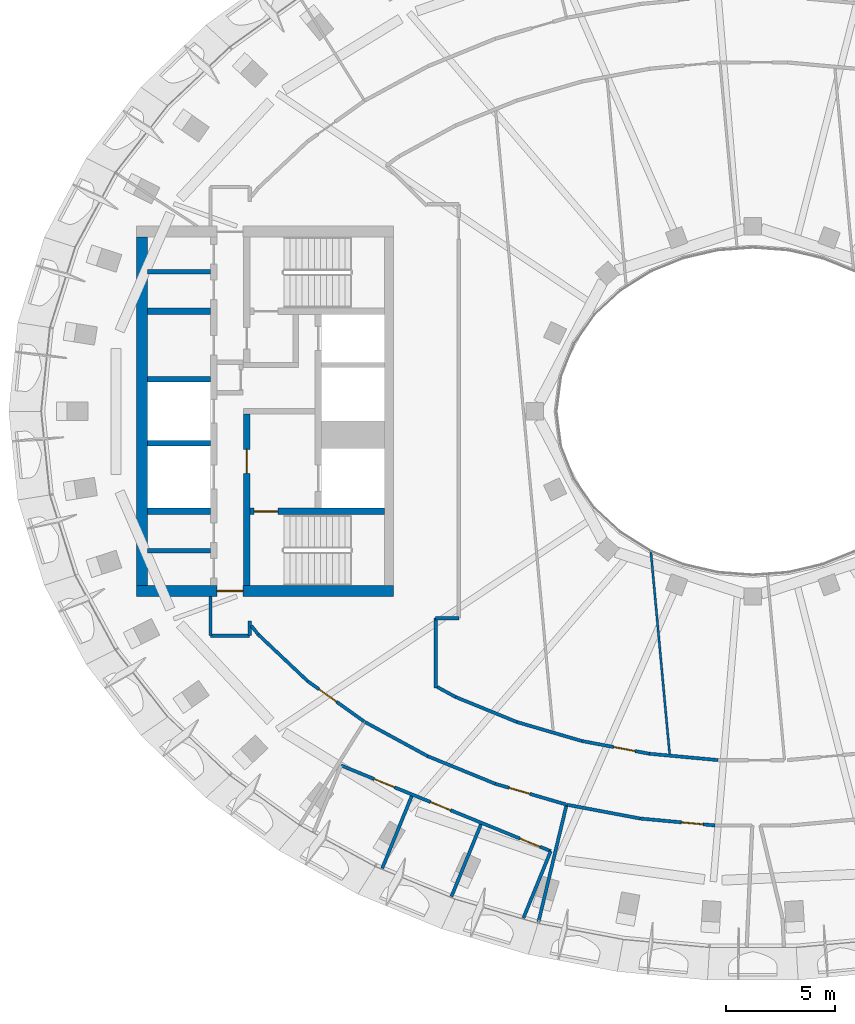
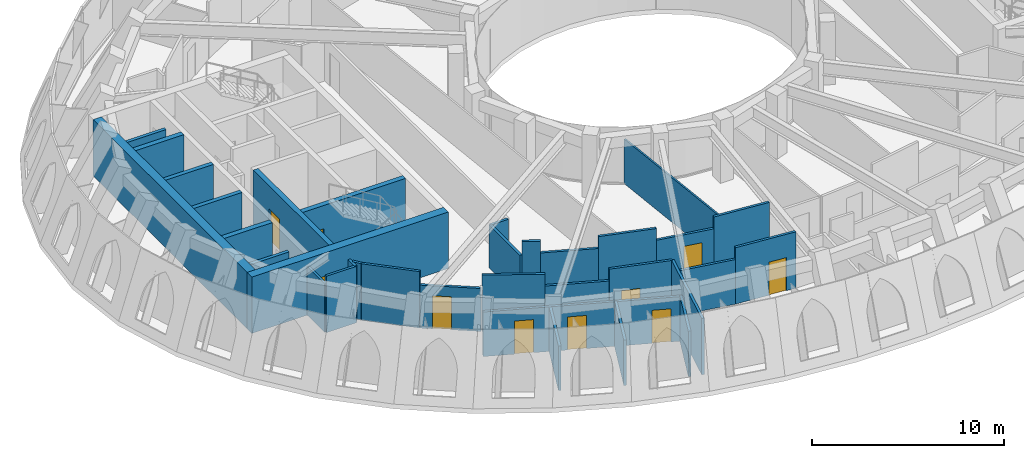
# One storey, part 3 of 14: 34 walls, 10 doors, 10 openings.
"""IFC4 building model written with IfcOpenShell, lengths in metres."""

from ifc_helpers import new_model, si_unit, direction, frame, frame_2d, origin, place, context, subcontext, project, spatial, rectangle, extrude, material, layer, layer_set, type_object, element, fill, save


model = new_model("IFC4")

# Units and contexts
model_context = context("Model", 3, precision=1e-05, world=origin(), true_north=direction((0.0, 1.0)))
body_context = subcontext(model_context, "Body", "Model", "MODEL_VIEW")
ifc_project = project(units=[si_unit("LENGTHUNIT", "METRE"), si_unit("AREAUNIT", "SQUARE_METRE"), si_unit("VOLUMEUNIT", "CUBIC_METRE"), si_unit("PLANEANGLEUNIT", "RADIAN"), si_unit("MASSUNIT", "GRAM", prefix="KILO")], contexts=[model_context])

# Site, building, storey
site_placement = place(None, origin())
site = spatial("IfcSite", under=ifc_project, at=site_placement, CompositionType="ELEMENT")
building_placement = place(site_placement, origin())
building = spatial("IfcBuilding", under=site, at=building_placement, Name="Noorbagh Ring Tower", CompositionType="ELEMENT")
storey_placement = place(building_placement, frame((0.0, 0.0, 343.0)))
storey = spatial("IfcBuildingStorey", under=building, at=storey_placement, Name="L75", CompositionType="ELEMENT", Elevation=343.0)

# Walls
ifc_material_1 = material(Name="Gypsum board on steel studs", Category="steel")
ifc_layer_1 = layer(ifc_material_1, 0.199951171875)
ifc_layer_set_1 = layer_set([ifc_layer_1], Name="Gypsum board on steel studs")
wall_type_1 = type_object("IfcWallType", Name="CORE-PARTITION-200", PredefinedType="PARTITIONING", material=ifc_layer_set_1)
for number, where, z_axis, x_axis, name in (
    (1, (-24.89990234375, 6.39990234375, 0.0), (0.0, 0.0, 1.0), (-1.0, 0.0, 0.0), "Core partition W"),
    (2, (-24.89990234375, -6.39990234375, 0.0), (0.0, 0.0, 1.0), (-1.0, 0.0, 0.0), "Core partition W"),
):
    element("IfcWall", number, at=place(storey_placement, frame(where, z_axis=z_axis, x_axis=x_axis)), inside=storey, type_object=wall_type_1, Name=name, PredefinedType="PARTITIONING", context=body_context, shape_type="SweptSolid", body=[
        extrude(rectangle(XDim=2.900146484375, YDim=0.199951171875, at=frame_2d((1.4501953125, 0.0))), origin(), (0.0, 0.0, 1.0), 2.780029296875),
    ])
ifc_material_2 = material(Name="Concrete C50/60", Category="concrete")
ifc_layer_2 = layer(ifc_material_2, 0.25)
ifc_layer_set_2 = layer_set([ifc_layer_2], Name="Concrete C50/60")
wall_type_2 = type_object("IfcWallType", Name="CORE-WALL-250-C50-60-EI120", PredefinedType="SHEAR", material=ifc_layer_set_2)
for number, where, z_axis, x_axis, name in (
    (3, (-24.89990234375, -1.47509765625, 0.0), (0.0, 0.0, 1.0), (-1.0, 0.0, 0.0), "Core wall W"),
    (4, (-24.89990234375, 1.47509765625, 0.0), (0.0, 0.0, 1.0), (-1.0, 0.0, 0.0), "Core wall W"),
):
    element("IfcWall", number, at=place(storey_placement, frame(where, z_axis=z_axis, x_axis=x_axis)), inside=storey, type_object=wall_type_2, Name=name, PredefinedType="SHEAR", context=body_context, shape_type="SweptSolid", body=[
        extrude(rectangle(XDim=2.900146484375, YDim=0.25, at=frame_2d((1.4501953125, 0.0))), origin(), (0.0, 0.0, 1.0), 3.580078125),
    ])
ifc_material_3 = material(Name="Concrete C50/60", Category="concrete")
ifc_layer_3 = layer(ifc_material_3, 0.300048828125)
ifc_layer_set_3 = layer_set([ifc_layer_3], Name="Concrete C50/60")
wall_type_3 = type_object("IfcWallType", Name="CORE-WALL-300-C50-60-EI240", PredefinedType="SHEAR", material=ifc_layer_set_3)
for number, where, z_axis, x_axis, name in (
    (5, (-24.89990234375, 4.60009765625, 0.0), (0.0, 0.0, 1.0), (-1.0, 0.0, 0.0), "Core wall W"),
    (6, (-24.89990234375, -4.60009765625, 0.0), (0.0, 0.0, 1.0), (-1.0, 0.0, 0.0), "Core wall W"),
):
    element("IfcWall", number, at=place(storey_placement, frame(where, z_axis=z_axis, x_axis=x_axis)), inside=storey, type_object=wall_type_3, Name=name, PredefinedType="SHEAR", context=body_context, shape_type="SweptSolid", body=[
        extrude(rectangle(XDim=2.900146484375, YDim=0.300048828125, at=frame_2d((1.4501953125, 0.0))), origin(), (0.0, 0.0, 1.0), 3.580078125),
    ])

# Wall, opening, door
wall_1_placement = place(storey_placement, frame((-23.22998046875, -8.0, 0.0), z_axis=(0.0, 0.0, 1.0), x_axis=(0.0, 1.0, 0.0)))
wall_1 = element("IfcWall", 7, at=wall_1_placement, inside=storey, type_object=wall_type_3, Name="Core wall W", PredefinedType="SHEAR", context=body_context, shape_type="SweptSolid", body=[
    extrude(rectangle(XDim=7.875, YDim=0.300048828125, at=frame_2d((3.9375, 0.0))), origin(), (0.0, 0.0, 1.0), 3.580078125),
])
opening_1_placement = place(wall_1_placement, frame((5.14990234375, 0.0, 0.0)))
opening_1 = element("IfcOpeningElement", 8, at=opening_1_placement, cuts=wall_1, Name="Opening L75-CW07", PredefinedType="OPENING", context=body_context, shape_type="SweptSolid", body=[
    extrude(rectangle(XDim=1.10009765625, YDim=2.10009765625, at=frame_2d((0.550048828125, 1.050048828125))), frame((0.0, 0.16015625, 0.0), z_axis=(0.0, -1.0, 0.0), x_axis=(1.0, 0.0, 0.0)), (0.0, 0.0, 1.0), 0.320068359375),
])
ifc_material_4 = material(Name="Steel door leaf", Category="steel")
door_type_1 = type_object("IfcDoorType", Name="CORE-DOOR-DFF", OperationType="SINGLE_SWING_LEFT", PredefinedType="DOOR", material=ifc_material_4)
door_1_placement = place(opening_1_placement, origin())
door_1 = element("IfcDoor", 9, at=door_1_placement, inside=storey, type_object=door_type_1, Name="Firefighting lobby door L75-CW07", OperationType="SINGLE_SWING_LEFT", OverallHeight=2.10009765625, OverallWidth=1.10009765625, PredefinedType="DOOR", context=body_context, shape_type="SweptSolid", body=[
    extrude(rectangle(XDim=1.10009765625, YDim=2.10009765625, at=frame_2d((0.550048828125, 1.050048828125))), frame((0.0, 0.02490234375, 0.0), z_axis=(0.0, -1.0, 0.0), x_axis=(1.0, 0.0, 0.0)), (0.0, 0.0, 1.0), 0.050048828125),
])
fill(opening_1, door_1)

wall_2_placement = place(storey_placement, frame((-16.89990234375, -4.60009765625, 0.0), z_axis=(0.0, 0.0, 1.0), x_axis=(-1.0, 0.0, 0.0)))
wall_2 = element("IfcWall", 10, at=wall_2_placement, inside=storey, type_object=wall_type_3, Name="Core wall W", PredefinedType="SHEAR", context=body_context, shape_type="SweptSolid", body=[
    extrude(rectangle(XDim=6.18017578125, YDim=0.300048828125, at=frame_2d((3.090087890625, 0.0))), origin(), (0.0, 0.0, 1.0), 3.580078125),
])
opening_2_placement = place(wall_2_placement, frame((4.89990234375, 0.0, 0.0)))
opening_2 = element("IfcOpeningElement", 11, at=opening_2_placement, cuts=wall_2, Name="Opening L75-CW06", PredefinedType="OPENING", context=body_context, shape_type="SweptSolid", body=[
    extrude(rectangle(XDim=1.10009765625, YDim=2.10009765625, at=frame_2d((0.550048828125, 1.050048828125))), frame((0.0, 0.16015625, 0.0), z_axis=(0.0, -1.0, 0.0), x_axis=(1.0, 0.0, 0.0)), (0.0, 0.0, 1.0), 0.320068359375),
])
ifc_material_5 = material(Name="Steel door leaf", Category="steel")
door_type_2 = type_object("IfcDoorType", Name="CORE-DOOR-DSTAIR", OperationType="SINGLE_SWING_LEFT", PredefinedType="DOOR", material=ifc_material_5)
door_2_placement = place(opening_2_placement, origin())
door_2 = element("IfcDoor", 12, at=door_2_placement, inside=storey, type_object=door_type_2, Name="Stair door ST2 L75-CW06", OperationType="SINGLE_SWING_LEFT", OverallHeight=2.10009765625, OverallWidth=1.10009765625, PredefinedType="DOOR", context=body_context, shape_type="SweptSolid", body=[
    extrude(rectangle(XDim=1.10009765625, YDim=2.10009765625, at=frame_2d((0.550048828125, 1.050048828125))), frame((0.0, 0.02490234375, 0.0), z_axis=(0.0, -1.0, 0.0), x_axis=(1.0, 0.0, 0.0)), (0.0, 0.0, 1.0), 0.050048828125),
])
fill(opening_2, door_2)

ifc_material_6 = material(Name="Concrete C50/60", Category="concrete")
ifc_layer_4 = layer(ifc_material_6, 0.5)
ifc_layer_set_4 = layer_set([ifc_layer_4], Name="Concrete C50/60")
wall_type_4 = type_object("IfcWallType", Name="CORE-WALL-500-C50-60-EI240", PredefinedType="SHEAR", material=ifc_layer_set_4)
wall_3_placement = place(storey_placement, frame((-16.5, -8.25, 0.0), z_axis=(0.0, 0.0, 1.0), x_axis=(-1.0, 0.0, 0.0)))
wall_3 = element("IfcWall", 13, at=wall_3_placement, inside=storey, type_object=wall_type_4, Name="Core wall W", PredefinedType="SHEAR", context=body_context, shape_type="SweptSolid", body=[
    extrude(rectangle(XDim=11.800048828125, YDim=0.5, at=frame_2d((5.89990234375, 0.0))), origin(), (0.0, 0.0, 1.0), 3.580078125),
])
opening_3_placement = place(wall_3_placement, frame((6.89990234375, 0.0, 0.0)))
opening_3 = element("IfcOpeningElement", 14, at=opening_3_placement, cuts=wall_3, Name="Opening L75-CW10", PredefinedType="OPENING", context=body_context, shape_type="SweptSolid", body=[
    extrude(rectangle(XDim=1.199951171875, YDim=2.10009765625, at=frame_2d((0.60009765625, 1.050048828125))), frame((0.0, 0.260009765625, 0.0), z_axis=(0.0, -1.0, 0.0), x_axis=(1.0, 0.0, 0.0)), (0.0, 0.0, 1.0), 0.52001953125),
])
ifc_material_7 = material(Name="Steel door leaf", Category="steel")
door_type_3 = type_object("IfcDoorType", Name="CORE-DOOR-PORT", OperationType="DOUBLE_DOOR_DOUBLE_SWING", PredefinedType="DOOR", material=ifc_material_7)
door_3_placement = place(opening_3_placement, origin())
door_3 = element("IfcDoor", 15, at=door_3_placement, inside=storey, type_object=door_type_3, Name="Core entrance door L75-CW10", OperationType="DOUBLE_DOOR_DOUBLE_SWING", OverallHeight=2.10009765625, OverallWidth=1.199951171875, PredefinedType="DOOR", context=body_context, shape_type="SweptSolid", body=[
    extrude(rectangle(XDim=1.199951171875, YDim=2.10009765625, at=frame_2d((0.60009765625, 1.050048828125))), frame((0.0, 0.02490234375, 0.0), z_axis=(0.0, -1.0, 0.0), x_axis=(1.0, 0.0, 0.0)), (0.0, 0.0, 1.0), 0.050048828125),
])
fill(opening_3, door_3)

# Walls
wall_4_placement = place(storey_placement, frame((-28.050048828125, -8.0, 0.0), z_axis=(0.0, 0.0, 1.0), x_axis=(0.0, 1.0, 0.0)))
element("IfcWall", 16, at=wall_4_placement, inside=storey, type_object=wall_type_4, Name="Core wall W", PredefinedType="SHEAR", context=body_context, shape_type="SweptSolid", body=[
    extrude(rectangle(XDim=16.0, YDim=0.5, at=frame_2d((8.0, 0.0))), origin(), (0.0, 0.0, 1.0), 3.580078125),
])
ifc_material_8 = material(Name="Gypsum board on steel studs", Category="steel")
ifc_layer_5 = layer(ifc_material_8, 0.14990234375)
ifc_layer_set_5 = layer_set([ifc_layer_5], Name="Gypsum board on steel studs")
wall_type_5 = type_object("IfcWallType", Name="CORRIDOR PARTITION 150 EI 30", PredefinedType="PARTITIONING", material=ifc_layer_set_5)
wall_5_placement = place(storey_placement, frame((-24.89990234375, -10.300048828125, 0.0), z_axis=(0.0, 0.0, 1.0), x_axis=(0.0, 1.0, 0.0)))
element("IfcWall", 17, at=wall_5_placement, inside=storey, type_object=wall_type_5, Name="L75/wall/P02", PredefinedType="PARTITIONING", context=body_context, shape_type="SweptSolid", body=[
    extrude(rectangle(XDim=1.800048828125, YDim=0.14990234375, at=frame_2d((0.89990234375, 0.0))), origin(), (0.0, 0.0, 1.0), 3.080078125),
])
wall_6_placement = place(storey_placement, frame((-24.89990234375, -10.300048828125, 0.0), z_axis=(0.0, 0.0, 1.0), x_axis=(1.0, 0.0, 0.0)))
element("IfcWall", 18, at=wall_6_placement, inside=storey, type_object=wall_type_5, Name="L75/wall/P03", PredefinedType="PARTITIONING", context=body_context, shape_type="SweptSolid", body=[
    extrude(rectangle(XDim=1.7998046875, YDim=0.14990234375, at=frame_2d((0.89990234375, 0.0))), origin(), (0.0, 0.0, 1.0), 3.580078125),
])
wall_7_placement = place(storey_placement, frame((-23.10009765625, -10.300048828125, 0.0), z_axis=(0.0, 0.0, 1.0), x_axis=(0.0, 1.0, 0.0)))
element("IfcWall", 19, at=wall_7_placement, inside=storey, type_object=wall_type_5, Name="L75/wall/P06", PredefinedType="PARTITIONING", context=body_context, shape_type="SweptSolid", body=[
    extrude(rectangle(XDim=0.676025390625, YDim=0.14990234375, at=frame_2d((0.337890625, 0.0))), origin(), (0.0, 0.0, 1.0), 3.580078125),
])
wall_8_placement = place(storey_placement, frame((-23.02490234375, -9.842041015625, 0.0), z_axis=(0.0, 0.0, 1.0), x_axis=(0.615025888574, -0.788506915876, 0.0)))
element("IfcWall", 20, at=wall_8_placement, inside=storey, type_object=wall_type_5, Name="L75/wall/P07", PredefinedType="PARTITIONING", context=body_context, shape_type="SweptSolid", body=[
    extrude(rectangle(XDim=0.513671875, YDim=0.14990234375, at=frame_2d((0.2568359375, 0.0))), origin(), (0.0, 0.0, 1.0), 3.580078125),
])
wall_9_placement = place(storey_placement, frame((-22.708984375, -10.2470703125, 0.0), z_axis=(0.0, 0.0, 1.0), x_axis=(0.727525716883, -0.686080411668, 0.0)))
element("IfcWall", 21, at=wall_9_placement, inside=storey, type_object=wall_type_5, Name="L75/wall/P10", PredefinedType="PARTITIONING", context=body_context, shape_type="SweptSolid", body=[
    extrude(rectangle(XDim=3.1162109375, YDim=0.14990234375, at=frame_2d((1.55810546875, 0.0))), origin(), (0.0, 0.0, 1.0), 3.580078125),
])

# Wall, opening, door
wall_10_placement = place(storey_placement, frame((-20.44189453125, -12.385009765625, 0.0), z_axis=(0.0, 0.0, 1.0), x_axis=(0.813459828113, -0.581621103508, 0.0)))
wall_10 = element("IfcWall", 22, at=wall_10_placement, inside=storey, type_object=wall_type_5, Name="L75/wall/P14", PredefinedType="PARTITIONING", context=body_context, shape_type="SweptSolid", body=[
    extrude(rectangle(XDim=3.196044921875, YDim=0.14990234375, at=frame_2d((1.59814453125, 0.0))), origin(), (0.0, 0.0, 1.0), 2.72998046875),
])
opening_4_placement = place(wall_10_placement, frame((0.64990234375, 0.0, 0.0)))
opening_4 = element("IfcOpeningElement", 23, at=opening_4_placement, cuts=wall_10, Name="Opening D1", PredefinedType="OPENING", context=body_context, shape_type="SweptSolid", body=[
    extrude(rectangle(XDim=1.0, YDim=2.10009765625, at=frame_2d((0.5, 1.050048828125))), frame((0.0, 0.0849609375, 0.0), z_axis=(0.0, -1.0, 0.0), x_axis=(1.0, 0.0, 0.0)), (0.0, 0.0, 1.0), 0.169921875),
])
ifc_material_9 = material(Name="Timber, painted", Category="wood")
door_type_4 = type_object("IfcDoorType", Name="DOOR 1000 X 2100 FD30", OperationType="SINGLE_SWING_LEFT", PredefinedType="DOOR", material=ifc_material_9)
door_4_placement = place(opening_4_placement, origin())
door_4 = element("IfcDoor", 24, at=door_4_placement, inside=storey, type_object=door_type_4, Name="L75-D05", OperationType="SINGLE_SWING_LEFT", OverallHeight=2.10009765625, OverallWidth=1.0, PredefinedType="DOOR", context=body_context, shape_type="SweptSolid", body=[
    extrude(rectangle(XDim=1.0, YDim=2.10009765625, at=frame_2d((0.5, 1.050048828125))), frame((0.0, 0.02490234375, 0.0), z_axis=(0.0, -1.0, 0.0), x_axis=(1.0, 0.0, 0.0)), (0.0, 0.0, 1.0), 0.050048828125),
])
fill(opening_4, door_4)

# Wall, openings, doors
wall_11_placement = place(storey_placement, frame((-18.905029296875, -16.260009765625, 0.0), z_axis=(0.0, 0.0, 1.0), x_axis=(0.925721870867, -0.378204994412, 0.0)))
wall_11 = element("IfcWall", 25, at=wall_11_placement, inside=storey, type_object=wall_type_5, Name="L75/wall/P17", PredefinedType="PARTITIONING", context=body_context, shape_type="SweptSolid", body=[
    extrude(rectangle(XDim=10.3994140625, YDim=0.14990234375, at=frame_2d((5.19970703125, 0.0))), origin(), (0.0, 0.0, 1.0), 2.830078125),
])
opening_5_placement = place(wall_11_placement, frame((1.64990234375, 0.0, 0.0)))
opening_5 = element("IfcOpeningElement", 26, at=opening_5_placement, cuts=wall_11, Name="Opening D3", PredefinedType="OPENING", context=body_context, shape_type="SweptSolid", body=[
    extrude(rectangle(XDim=1.0, YDim=2.10009765625, at=frame_2d((0.5, 1.050048828125))), frame((0.0, 0.0849609375, 0.0), z_axis=(0.0, -1.0, 0.0), x_axis=(1.0, 0.0, 0.0)), (0.0, 0.0, 1.0), 0.169921875),
])
opening_6_placement = place(wall_11_placement, frame((4.43505859375, 0.0, 0.0)))
opening_6 = element("IfcOpeningElement", 27, at=opening_6_placement, cuts=wall_11, Name="Opening D3", PredefinedType="OPENING", context=body_context, shape_type="SweptSolid", body=[
    extrude(rectangle(XDim=1.0, YDim=2.10009765625, at=frame_2d((0.5, 1.050048828125))), frame((0.0, 0.0849609375, 0.0), z_axis=(0.0, -1.0, 0.0), x_axis=(1.0, 0.0, 0.0)), (0.0, 0.0, 1.0), 0.169921875),
])
opening_7_placement = place(wall_11_placement, frame((8.867431640625, 0.0, 0.0)))
opening_7 = element("IfcOpeningElement", 28, at=opening_7_placement, cuts=wall_11, Name="Opening D3", PredefinedType="OPENING", context=body_context, shape_type="SweptSolid", body=[
    extrude(rectangle(XDim=1.0, YDim=2.10009765625, at=frame_2d((0.5, 1.050048828125))), frame((0.0, 0.0849609375, 0.0), z_axis=(0.0, -1.0, 0.0), x_axis=(1.0, 0.0, 0.0)), (0.0, 0.0, 1.0), 0.169921875),
])
ifc_material_10 = material(Name="Timber, painted", Category="wood")
door_type_5 = type_object("IfcDoorType", Name="DOOR 1000 X 2100 WC", OperationType="SINGLE_SWING_LEFT", PredefinedType="DOOR", material=ifc_material_10)
door_5_placement = place(opening_5_placement, origin())
door_5 = element("IfcDoor", 29, at=door_5_placement, inside=storey, type_object=door_type_5, Name="L75-D02", OperationType="SINGLE_SWING_RIGHT", OverallHeight=2.10009765625, OverallWidth=1.0, PredefinedType="DOOR", context=body_context, shape_type="SweptSolid", body=[
    extrude(rectangle(XDim=1.0, YDim=2.10009765625, at=frame_2d((0.5, 1.050048828125))), frame((0.0, 0.02490234375, 0.0), z_axis=(0.0, -1.0, 0.0), x_axis=(1.0, 0.0, 0.0)), (0.0, 0.0, 1.0), 0.050048828125),
])
fill(opening_5, door_5)
door_6_placement = place(opening_6_placement, origin())
door_6 = element("IfcDoor", 30, at=door_6_placement, inside=storey, type_object=door_type_5, Name="L75-D03", OperationType="SINGLE_SWING_LEFT", OverallHeight=2.10009765625, OverallWidth=1.0, PredefinedType="DOOR", context=body_context, shape_type="SweptSolid", body=[
    extrude(rectangle(XDim=1.0, YDim=2.10009765625, at=frame_2d((0.5, 1.050048828125))), frame((0.0, 0.02490234375, 0.0), z_axis=(0.0, -1.0, 0.0), x_axis=(1.0, 0.0, 0.0)), (0.0, 0.0, 1.0), 0.050048828125),
])
fill(opening_6, door_6)
door_7_placement = place(opening_7_placement, origin())
door_7 = element("IfcDoor", 31, at=door_7_placement, inside=storey, type_object=door_type_5, Name="L75-D04", OperationType="SINGLE_SWING_RIGHT", OverallHeight=2.10009765625, OverallWidth=1.0, PredefinedType="DOOR", context=body_context, shape_type="SweptSolid", body=[
    extrude(rectangle(XDim=1.0, YDim=2.10009765625, at=frame_2d((0.5, 1.050048828125))), frame((0.0, 0.02490234375, 0.0), z_axis=(0.0, -1.0, 0.0), x_axis=(1.0, 0.0, 0.0)), (0.0, 0.0, 1.0), 0.050048828125),
])
fill(opening_7, door_7)

# Walls
wall_12_placement = place(storey_placement, frame((-17.80810546875, -14.26611328125, 0.0), z_axis=(0.0, 0.0, 1.0), x_axis=(0.87828249697, -0.478142087162, 0.0)))
element("IfcWall", 32, at=wall_12_placement, inside=storey, type_object=wall_type_5, Name="L75/wall/P18", PredefinedType="PARTITIONING", context=body_context, shape_type="SweptSolid", body=[
    extrude(rectangle(XDim=3.277099609375, YDim=0.14990234375, at=frame_2d((1.638671875, 0.0))), origin(), (0.0, 0.0, 1.0), 3.580078125),
])
wall_13_placement = place(storey_placement, frame((-17.011962890625, -20.97705078125, 0.0), z_axis=(0.0, 0.0, 1.0), x_axis=(0.377904165065, 0.925844718096, 0.0)))
element("IfcWall", 33, at=wall_13_placement, inside=storey, type_object=wall_type_5, Name="L75/wall/P20", PredefinedType="PARTITIONING", context=body_context, shape_type="SweptSolid", body=[
    extrude(rectangle(XDim=3.5751953125, YDim=0.14990234375, at=frame_2d((1.78759765625, 0.0))), origin(), (0.0, 0.0, 1.0), 2.830078125),
])
wall_14_placement = place(storey_placement, frame((-14.929931640625, -15.8330078125, 0.0), z_axis=(0.0, 0.0, 1.0), x_axis=(0.925817550032, -0.377970718511, 0.0)))
element("IfcWall", 34, at=wall_14_placement, inside=storey, type_object=wall_type_5, Name="L75/wall/P25", PredefinedType="PARTITIONING", context=body_context, shape_type="SweptSolid", body=[
    extrude(rectangle(XDim=3.360107421875, YDim=0.14990234375, at=frame_2d((1.68017578125, 0.0))), origin(), (0.0, 0.0, 1.0), 2.830078125),
])
wall_15_placement = place(storey_placement, frame((-14.56005859375, -12.7041015625, 0.0), z_axis=(0.0, 0.0, 1.0), x_axis=(0.0, 1.0, 0.0)))
element("IfcWall", 35, at=wall_15_placement, inside=storey, type_object=wall_type_5, Name="L75/wall/P27", PredefinedType="PARTITIONING", context=body_context, shape_type="SweptSolid", body=[
    extrude(rectangle(XDim=3.2041015625, YDim=0.14990234375, at=frame_2d((1.60205078125, 0.0))), origin(), (0.0, 0.0, 1.0), 2.72998046875),
])
wall_16_placement = place(storey_placement, frame((-14.485107421875, -12.659912109375, 0.0), z_axis=(0.0, 0.0, 1.0), x_axis=(0.878264683791, -0.478174806118, 0.0)))
element("IfcWall", 36, at=wall_16_placement, inside=storey, type_object=wall_type_5, Name="L75/wall/P28", PredefinedType="PARTITIONING", context=body_context, shape_type="SweptSolid", body=[
    extrude(rectangle(XDim=0.9599609375, YDim=0.14990234375, at=frame_2d((0.47998046875, 0.0))), origin(), (0.0, 0.0, 1.0), 3.580078125),
])
wall_17_placement = place(storey_placement, frame((-14.56005859375, -9.5, 0.0), z_axis=(0.0, 0.0, 1.0), x_axis=(1.0, 0.0, 0.0)))
element("IfcWall", 37, at=wall_17_placement, inside=storey, type_object=wall_type_5, Name="L75/wall/P29", PredefinedType="PARTITIONING", context=body_context, shape_type="SweptSolid", body=[
    extrude(rectangle(XDim=1.06005859375, YDim=0.14990234375, at=frame_2d((0.530029296875, 0.0))), origin(), (0.0, 0.0, 1.0), 2.72998046875),
])
wall_18_placement = place(storey_placement, frame((-13.8349609375, -22.27392578125, 0.0), z_axis=(0.0, 0.0, 1.0), x_axis=(0.378162174329, 0.925739363918, 0.0)))
element("IfcWall", 38, at=wall_18_placement, inside=storey, type_object=wall_type_5, Name="L75/wall/P30", PredefinedType="PARTITIONING", context=body_context, shape_type="SweptSolid", body=[
    extrude(rectangle(XDim=3.575439453125, YDim=0.14990234375, at=frame_2d((1.78759765625, 0.0))), origin(), (0.0, 0.0, 1.0), 2.8798828125),
])
wall_19_placement = place(storey_placement, frame((-13.64208984375, -13.118896484375, 0.0), z_axis=(0.0, 0.0, 1.0), x_axis=(0.925843627356, -0.377906837307, 0.0)))
element("IfcWall", 39, at=wall_19_placement, inside=storey, type_object=wall_type_5, Name="L75/wall/P31", PredefinedType="PARTITIONING", context=body_context, shape_type="SweptSolid", body=[
    extrude(rectangle(XDim=3.038330078125, YDim=0.14990234375, at=frame_2d((1.51904296875, 0.0))), origin(), (0.0, 0.0, 1.0), 2.830078125),
])

# Wall, opening, door
wall_20_placement = place(storey_placement, frame((-11.819091796875, -17.10302734375, 0.0), z_axis=(0.0, 0.0, 1.0), x_axis=(0.959838329033, -0.2805537063, 0.0)))
wall_20 = element("IfcWall", 40, at=wall_20_placement, inside=storey, type_object=wall_type_5, Name="L75/wall/P34", PredefinedType="PARTITIONING", context=body_context, shape_type="SweptSolid", body=[
    extrude(rectangle(XDim=3.385986328125, YDim=0.14990234375, at=frame_2d((1.69287109375, 0.0))), origin(), (0.0, 0.0, 1.0), 3.580078125),
])
opening_8_placement = place(wall_20_placement, frame((0.64990234375, 0.0, 0.0)))
opening_8 = element("IfcOpeningElement", 41, at=opening_8_placement, cuts=wall_20, Name="Opening D1", PredefinedType="OPENING", context=body_context, shape_type="SweptSolid", body=[
    extrude(rectangle(XDim=1.0, YDim=2.10009765625, at=frame_2d((0.5, 1.050048828125))), frame((0.0, 0.0849609375, 0.0), z_axis=(0.0, -1.0, 0.0), x_axis=(1.0, 0.0, 0.0)), (0.0, 0.0, 1.0), 0.169921875),
])
door_8_placement = place(opening_8_placement, origin())
door_8 = element("IfcDoor", 42, at=door_8_placement, inside=storey, type_object=door_type_4, Name="L75-D01", OperationType="SINGLE_SWING_LEFT", OverallHeight=2.10009765625, OverallWidth=1.0, PredefinedType="DOOR", context=body_context, shape_type="SweptSolid", body=[
    extrude(rectangle(XDim=1.0, YDim=2.10009765625, at=frame_2d((0.5, 1.050048828125))), frame((0.0, 0.02490234375, 0.0), z_axis=(0.0, -1.0, 0.0), x_axis=(1.0, 0.0, 0.0)), (0.0, 0.0, 1.0), 0.050048828125),
])
fill(opening_8, door_8)

# Walls
wall_21_placement = place(storey_placement, frame((-10.8291015625, -14.26708984375, 0.0), z_axis=(0.0, 0.0, 1.0), x_axis=(0.959853665629, -0.280501230976, 0.0)))
element("IfcWall", 43, at=wall_21_placement, inside=storey, type_object=wall_type_5, Name="L75/wall/P37", PredefinedType="PARTITIONING", context=body_context, shape_type="SweptSolid", body=[
    extrude(rectangle(XDim=3.104736328125, YDim=0.14990234375, at=frame_2d((1.55224609375, 0.0))), origin(), (0.0, 0.0, 1.0), 3.580078125),
])
wall_22_placement = place(storey_placement, frame((-10.531005859375, -23.261962890625, 0.0), z_axis=(0.0, 0.0, 1.0), x_axis=(0.377984610914, 0.925811878252, 0.0)))
element("IfcWall", 44, at=wall_22_placement, inside=storey, type_object=wall_type_5, Name="L75/wall/P39", PredefinedType="PARTITIONING", context=body_context, shape_type="SweptSolid", body=[
    extrude(rectangle(XDim=3.314697265625, YDim=0.14990234375, at=frame_2d((1.6572265625, 0.0))), origin(), (0.0, 0.0, 1.0), 2.8798828125),
])
wall_23_placement = place(storey_placement, frame((-9.844970703125, -23.4619140625, 0.0), z_axis=(0.0, 0.0, 1.0), x_axis=(0.233027052211, 0.972470252983, 0.0)))
element("IfcWall", 45, at=wall_23_placement, inside=storey, type_object=wall_type_5, Name="L75/wall/P41", PredefinedType="PARTITIONING", context=body_context, shape_type="SweptSolid", body=[
    extrude(rectangle(XDim=5.552734375, YDim=0.14990234375, at=frame_2d((2.7763671875, 0.0))), origin(), (0.0, 0.0, 1.0), 3.580078125),
])
wall_24_placement = place(storey_placement, frame((-8.530029296875, -18.06298828125, 0.0), z_axis=(0.0, 0.0, 1.0), x_axis=(0.982688905664, -0.18526336574, 0.0)))
element("IfcWall", 46, at=wall_24_placement, inside=storey, type_object=wall_type_5, Name="L75/wall/P42", PredefinedType="PARTITIONING", context=body_context, shape_type="SweptSolid", body=[
    extrude(rectangle(XDim=3.4169921875, YDim=0.14990234375, at=frame_2d((1.70849609375, 0.0))), origin(), (0.0, 0.0, 1.0), 2.830078125),
])

# Wall, opening, door
wall_25_placement = place(storey_placement, frame((-7.84912109375, -15.137939453125, 0.0), z_axis=(0.0, 0.0, 1.0), x_axis=(0.982662719518, -0.185402210529, 0.0)))
wall_25 = element("IfcWall", 47, at=wall_25_placement, inside=storey, type_object=wall_type_5, Name="L75/wall/P44", PredefinedType="PARTITIONING", context=body_context, shape_type="SweptSolid", body=[
    extrude(rectangle(XDim=3.14990234375, YDim=0.14990234375, at=frame_2d((1.574951171875, 0.0))), origin(), (0.0, 0.0, 1.0), 2.830078125),
])
opening_9_placement = place(wall_25_placement, frame((1.49951171875, 0.0, 0.0)))
opening_9 = element("IfcOpeningElement", 48, at=opening_9_placement, cuts=wall_25, Name="Opening D1", PredefinedType="OPENING", context=body_context, shape_type="SweptSolid", body=[
    extrude(rectangle(XDim=1.0, YDim=2.10009765625, at=frame_2d((0.5, 1.050048828125))), frame((0.0, 0.0849609375, 0.0), z_axis=(0.0, -1.0, 0.0), x_axis=(1.0, 0.0, 0.0)), (0.0, 0.0, 1.0), 0.169921875),
])
door_9_placement = place(opening_9_placement, origin())
door_9 = element("IfcDoor", 49, at=door_9_placement, inside=storey, type_object=door_type_4, Name="L75-D17", OperationType="SINGLE_SWING_LEFT", OverallHeight=2.10009765625, OverallWidth=1.0, PredefinedType="DOOR", context=body_context, shape_type="SweptSolid", body=[
    extrude(rectangle(XDim=1.0, YDim=2.10009765625, at=frame_2d((0.5, 1.050048828125))), frame((0.0, 0.02490234375, 0.0), z_axis=(0.0, -1.0, 0.0), x_axis=(1.0, 0.0, 0.0)), (0.0, 0.0, 1.0), 0.050048828125),
])
fill(opening_9, door_9)

wall_26_placement = place(storey_placement, frame((-5.172119140625, -18.696044921875, 0.0), z_axis=(0.0, 0.0, 1.0), x_axis=(0.995734786984, -0.09226176884, 0.0)))
wall_26 = element("IfcWall", 50, at=wall_26_placement, inside=storey, type_object=wall_type_5, Name="L75/wall/P47", PredefinedType="PARTITIONING", context=body_context, shape_type="SweptSolid", body=[
    extrude(rectangle(XDim=3.455810546875, YDim=0.14990234375, at=frame_2d((1.72802734375, 0.0))), origin(), (0.0, 0.0, 1.0), 3.580078125),
])
opening_10_placement = place(wall_26_placement, frame((1.89990234375, 0.0, 0.0)))
opening_10 = element("IfcOpeningElement", 51, at=opening_10_placement, cuts=wall_26, Name="Opening D1", PredefinedType="OPENING", context=body_context, shape_type="SweptSolid", body=[
    extrude(rectangle(XDim=1.0, YDim=2.10009765625, at=frame_2d((0.5, 1.050048828125))), frame((0.0, 0.0849609375, 0.0), z_axis=(0.0, -1.0, 0.0), x_axis=(1.0, 0.0, 0.0)), (0.0, 0.0, 1.0), 0.169921875),
])
door_10_placement = place(opening_10_placement, origin())
door_10 = element("IfcDoor", 52, at=door_10_placement, inside=storey, type_object=door_type_4, Name="L75-D08", OperationType="SINGLE_SWING_RIGHT", OverallHeight=2.10009765625, OverallWidth=1.0, PredefinedType="DOOR", context=body_context, shape_type="SweptSolid", body=[
    extrude(rectangle(XDim=1.0, YDim=2.10009765625, at=frame_2d((0.5, 1.050048828125))), frame((0.0, 0.02490234375, 0.0), z_axis=(0.0, -1.0, 0.0), x_axis=(1.0, 0.0, 0.0)), (0.0, 0.0, 1.0), 0.050048828125),
])
fill(opening_10, door_10)

# Walls
wall_27_placement = place(storey_placement, frame((-4.75390625, -15.721923828125, 0.0), z_axis=(0.0, 0.0, 1.0), x_axis=(0.995734789991, -0.09226173639, 0.0)))
element("IfcWall", 53, at=wall_27_placement, inside=storey, type_object=wall_type_5, Name="L75/wall/P49", PredefinedType="PARTITIONING", context=body_context, shape_type="SweptSolid", body=[
    extrude(rectangle(XDim=3.17529296875, YDim=0.14990234375, at=frame_2d((1.587646484375, 0.0))), origin(), (0.0, 0.0, 1.0), 3.580078125),
])
ifc_material_11 = material(Name="Gypsum board on steel studs", Category="steel")
ifc_layer_6 = layer(ifc_material_11, 0.10009765625)
ifc_layer_set_6 = layer_set([ifc_layer_6], Name="Gypsum board on steel studs")
wall_type_6 = type_object("IfcWallType", Name="PARTITION 100 GYPSUM", PredefinedType="PARTITIONING", material=ifc_layer_set_6)
wall_28_placement = place(storey_placement, frame((-4.68505859375, -6.406005859375, 0.0), z_axis=(0.0, 0.0, 1.0), x_axis=(0.092280079769, -0.995733090179, 0.0)))
element("IfcWall", 54, at=wall_28_placement, inside=storey, type_object=wall_type_6, Name="L75/wall/P51", PredefinedType="PARTITIONING", context=body_context, shape_type="SweptSolid", body=[
    extrude(rectangle(XDim=9.363037109375, YDim=0.10009765625, at=frame_2d((4.681640625, 0.0))), origin(), (0.0, 0.0, 1.0), 2.830078125),
])

save(model, "model.ifc")
